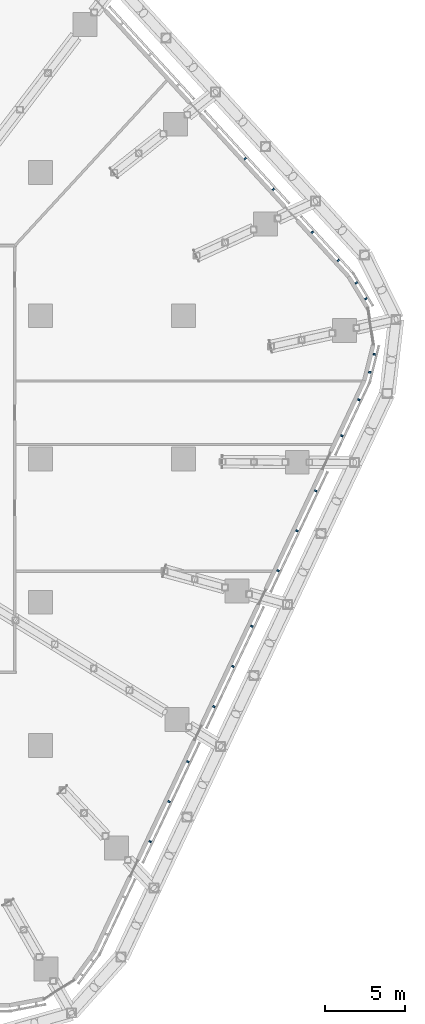
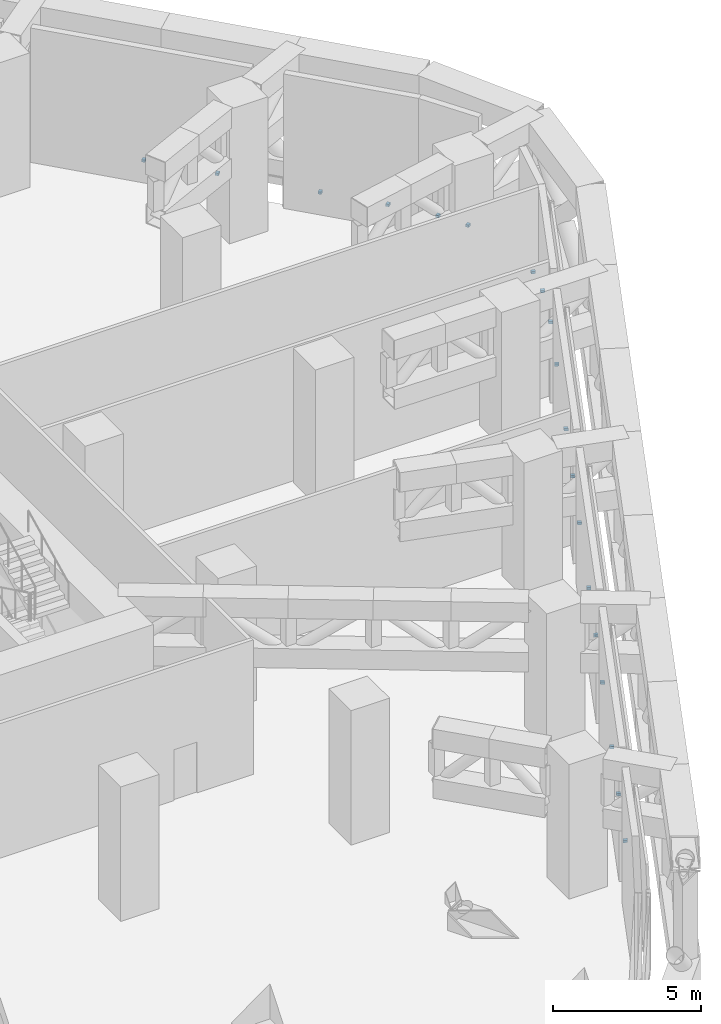
# One storey, part 28 of 38: 19 discrete accessories, 3 elements without a shape of their own.
"""IFC4 building model written with IfcOpenShell, lengths in metres."""

from ifc_helpers import new_model, si_unit, direction, frame, origin, origin_2d, place, context, subcontext, project, spatial, rectangle, extrude, material, layer, layer_set, type_object, element, aggregate, save


model = new_model("IFC4")

# Units and contexts
model_context = context("Model", 3, precision=1e-05, world=origin(), true_north=direction((0.0, 1.0)))
body_context = subcontext(model_context, "Body", "Model", "MODEL_VIEW")
ifc_project = project(units=[si_unit("LENGTHUNIT", "METRE"), si_unit("AREAUNIT", "SQUARE_METRE"), si_unit("VOLUMEUNIT", "CUBIC_METRE"), si_unit("PLANEANGLEUNIT", "RADIAN"), si_unit("MASSUNIT", "GRAM", prefix="KILO")], contexts=[model_context])

# Site, building, storey
site_placement = place(None, origin())
site = spatial("IfcSite", under=ifc_project, at=site_placement, CompositionType="ELEMENT")
building_placement = place(site_placement, origin())
building = spatial("IfcBuilding", under=site, at=building_placement, Name="Dongbaek Canopy Tower", CompositionType="ELEMENT")
storey_placement = place(building_placement, frame((0.0, 0.0, 89.199951171875)))
storey = spatial("IfcBuildingStorey", under=building, at=storey_placement, Name="L18", CompositionType="ELEMENT", Elevation=89.199951171875)

# Curtain wall, discrete accessories
ifc_material_1 = material(Name="Aluminium 6063-T6 pale anodised", Category="aluminium")
ifc_layer = layer(ifc_material_1, 0.14990234375)
ifc_layer_set = layer_set([ifc_layer], Name="CW-7 louvre curtain wall")
curtain_wall_type = type_object("IfcCurtainWallType", Name="CW-7 louvre curtain wall", PredefinedType="NOTDEFINED", material=ifc_layer_set)
curtain_wall_1_placement = place(storey_placement, origin())
curtain_wall_1 = element("IfcCurtainWall", 1, at=curtain_wall_1_placement, inside=storey, type_object=curtain_wall_type, Name="CW-7 louvre wall L18 K0", PredefinedType="NOTDEFINED")
ifc_material_2 = material(Name="Galvanised steel S355 bracket", Category="steel")
discrete_accessory_type = type_object("IfcDiscreteAccessoryType", Name="Louvre bracket BR1", PredefinedType="BRACKET", material=ifc_material_2)
discrete_accessory_1_placement = place(storey_placement, frame((38.6953125, 5.44775390625, 0.6650390625), z_axis=(0.0, 0.0, 1.0), x_axis=(0.241843568261, 0.970315252117, 0.0)))
discrete_accessory_1 = element("IfcDiscreteAccessory", 2, at=discrete_accessory_1_placement, type_object=discrete_accessory_type, Name="Louvre bracket L18 K0.1.1", PredefinedType="BRACKET", context=body_context, shape_type="SweptSolid", body=[
    extrude(rectangle(XDim=0.1201171875, YDim=0.14990234375, at=origin_2d()), origin(), (0.0, 0.0, 1.0), 0.10009765625),
])
discrete_accessory_2_placement = place(storey_placement, frame((38.9755859375, 6.572509765625, 0.6650390625), z_axis=(0.0, 0.0, 1.0), x_axis=(0.241843568261, 0.970315252117, 0.0)))
discrete_accessory_2 = element("IfcDiscreteAccessory", 3, at=discrete_accessory_2_placement, type_object=discrete_accessory_type, Name="Louvre bracket L18 K0.1.2", PredefinedType="BRACKET", context=body_context, shape_type="SweptSolid", body=[
    extrude(rectangle(XDim=0.1201171875, YDim=0.14990234375, at=origin_2d()), origin(), (0.0, 0.0, 1.0), 0.10009765625),
])
discrete_accessory_3_placement = place(storey_placement, frame((38.44921875, 10.065185546875, 0.6650390625), z_axis=(0.0, 0.0, 1.0), x_axis=(-0.51716533983, 0.85588551295, 0.0)))
discrete_accessory_3 = element("IfcDiscreteAccessory", 4, at=discrete_accessory_3_placement, type_object=discrete_accessory_type, Name="Louvre bracket L18 K0.2.1", PredefinedType="BRACKET", context=body_context, shape_type="SweptSolid", body=[
    extrude(rectangle(XDim=0.1201171875, YDim=0.14990234375, at=origin_2d()), origin(), (0.0, 0.0, 1.0), 0.10009765625),
])
discrete_accessory_4_placement = place(storey_placement, frame((37.849609375, 11.057373046875, 0.6650390625), z_axis=(0.0, 0.0, 1.0), x_axis=(-0.51716533983, 0.85588551295, 0.0)))
discrete_accessory_4 = element("IfcDiscreteAccessory", 5, at=discrete_accessory_4_placement, type_object=discrete_accessory_type, Name="Louvre bracket L18 K0.2.2", PredefinedType="BRACKET", context=body_context, shape_type="SweptSolid", body=[
    extrude(rectangle(XDim=0.1201171875, YDim=0.14990234375, at=origin_2d()), origin(), (0.0, 0.0, 1.0), 0.10009765625),
])
aggregate(curtain_wall_1, [discrete_accessory_1, discrete_accessory_2, discrete_accessory_3, discrete_accessory_4])

curtain_wall_2_placement = place(storey_placement, origin())
curtain_wall_2 = element("IfcCurtainWall", 6, at=curtain_wall_2_placement, inside=storey, type_object=curtain_wall_type, Name="CW-7 louvre wall L18 F0", PredefinedType="NOTDEFINED")
discrete_accessory_5_placement = place(storey_placement, frame((36.715087890625, 12.47265625, 0.6650390625), z_axis=(0.0, 0.0, 1.0), x_axis=(-0.674646668897, 0.738140821352, 0.0)))
discrete_accessory_5 = element("IfcDiscreteAccessory", 7, at=discrete_accessory_5_placement, type_object=discrete_accessory_type, Name="Louvre bracket L18 F0.1.1", PredefinedType="BRACKET", context=body_context, shape_type="SweptSolid", body=[
    extrude(rectangle(XDim=0.1201171875, YDim=0.14990234375, at=origin_2d()), origin(), (0.0, 0.0, 1.0), 0.10009765625),
])
discrete_accessory_6_placement = place(storey_placement, frame((35.09228515625, 14.248046875, 0.6650390625), z_axis=(0.0, 0.0, 1.0), x_axis=(-0.674646668897, 0.738140821352, 0.0)))
discrete_accessory_6 = element("IfcDiscreteAccessory", 8, at=discrete_accessory_6_placement, type_object=discrete_accessory_type, Name="Louvre bracket L18 F0.1.2", PredefinedType="BRACKET", context=body_context, shape_type="SweptSolid", body=[
    extrude(rectangle(XDim=0.1201171875, YDim=0.14990234375, at=origin_2d()), origin(), (0.0, 0.0, 1.0), 0.10009765625),
])
discrete_accessory_7_placement = place(storey_placement, frame((32.63330078125, 16.9384765625, 0.6650390625), z_axis=(0.0, 0.0, 1.0), x_axis=(-0.674646668897, 0.738140821352, 0.0)))
discrete_accessory_7 = element("IfcDiscreteAccessory", 9, at=discrete_accessory_7_placement, type_object=discrete_accessory_type, Name="Louvre bracket L18 F0.2.1", PredefinedType="BRACKET", context=body_context, shape_type="SweptSolid", body=[
    extrude(rectangle(XDim=0.1201171875, YDim=0.14990234375, at=origin_2d()), origin(), (0.0, 0.0, 1.0), 0.10009765625),
])
discrete_accessory_8_placement = place(storey_placement, frame((30.87109375, 18.866455078125, 0.6650390625), z_axis=(0.0, 0.0, 1.0), x_axis=(-0.674646668897, 0.738140821352, 0.0)))
discrete_accessory_8 = element("IfcDiscreteAccessory", 10, at=discrete_accessory_8_placement, type_object=discrete_accessory_type, Name="Louvre bracket L18 F0.2.2", PredefinedType="BRACKET", context=body_context, shape_type="SweptSolid", body=[
    extrude(rectangle(XDim=0.1201171875, YDim=0.14990234375, at=origin_2d()), origin(), (0.0, 0.0, 1.0), 0.10009765625),
])
aggregate(curtain_wall_2, [discrete_accessory_5, discrete_accessory_6, discrete_accessory_7, discrete_accessory_8])

curtain_wall_3_placement = place(storey_placement, origin())
curtain_wall_3 = element("IfcCurtainWall", 11, at=curtain_wall_3_placement, inside=storey, type_object=curtain_wall_type, Name="CW-7 louvre wall L18 F5", PredefinedType="NOTDEFINED")
discrete_accessory_9_placement = place(storey_placement, frame((24.9033203125, -24.03076171875, 0.6650390625), z_axis=(0.0, 0.0, 1.0), x_axis=(0.427038992534, 0.904233210436, 0.0)))
discrete_accessory_9 = element("IfcDiscreteAccessory", 12, at=discrete_accessory_9_placement, type_object=discrete_accessory_type, Name="Louvre bracket L18 F5.2.1", PredefinedType="BRACKET", context=body_context, shape_type="SweptSolid", body=[
    extrude(rectangle(XDim=0.1201171875, YDim=0.14990234375, at=origin_2d()), origin(), (0.0, 0.0, 1.0), 0.10009765625),
])
discrete_accessory_10_placement = place(storey_placement, frame((26.08642578125, -21.525634765625, 0.6650390625), z_axis=(0.0, 0.0, 1.0), x_axis=(0.427038992534, 0.904233210436, 0.0)))
discrete_accessory_10 = element("IfcDiscreteAccessory", 13, at=discrete_accessory_10_placement, type_object=discrete_accessory_type, Name="Louvre bracket L18 F5.2.2", PredefinedType="BRACKET", context=body_context, shape_type="SweptSolid", body=[
    extrude(rectangle(XDim=0.1201171875, YDim=0.14990234375, at=origin_2d()), origin(), (0.0, 0.0, 1.0), 0.10009765625),
])
discrete_accessory_11_placement = place(storey_placement, frame((27.269287109375, -19.020751953125, 0.6650390625), z_axis=(0.0, 0.0, 1.0), x_axis=(0.427038992534, 0.904233210436, 0.0)))
discrete_accessory_11 = element("IfcDiscreteAccessory", 14, at=discrete_accessory_11_placement, type_object=discrete_accessory_type, Name="Louvre bracket L18 F5.2.3", PredefinedType="BRACKET", context=body_context, shape_type="SweptSolid", body=[
    extrude(rectangle(XDim=0.1201171875, YDim=0.14990234375, at=origin_2d()), origin(), (0.0, 0.0, 1.0), 0.10009765625),
])
discrete_accessory_12_placement = place(storey_placement, frame((28.904296875, -15.558837890625, 0.6650390625), z_axis=(0.0, 0.0, 1.0), x_axis=(0.427038992534, 0.904233210436, 0.0)))
discrete_accessory_12 = element("IfcDiscreteAccessory", 15, at=discrete_accessory_12_placement, type_object=discrete_accessory_type, Name="Louvre bracket L18 F5.3.1", PredefinedType="BRACKET", context=body_context, shape_type="SweptSolid", body=[
    extrude(rectangle(XDim=0.1201171875, YDim=0.14990234375, at=origin_2d()), origin(), (0.0, 0.0, 1.0), 0.10009765625),
])
discrete_accessory_13_placement = place(storey_placement, frame((30.0966796875, -13.033935546875, 0.6650390625), z_axis=(0.0, 0.0, 1.0), x_axis=(0.427038992534, 0.904233210436, 0.0)))
discrete_accessory_13 = element("IfcDiscreteAccessory", 16, at=discrete_accessory_13_placement, type_object=discrete_accessory_type, Name="Louvre bracket L18 F5.3.2", PredefinedType="BRACKET", context=body_context, shape_type="SweptSolid", body=[
    extrude(rectangle(XDim=0.1201171875, YDim=0.14990234375, at=origin_2d()), origin(), (0.0, 0.0, 1.0), 0.10009765625),
])
discrete_accessory_14_placement = place(storey_placement, frame((31.2890625, -10.50927734375, 0.6650390625), z_axis=(0.0, 0.0, 1.0), x_axis=(0.427038992534, 0.904233210436, 0.0)))
discrete_accessory_14 = element("IfcDiscreteAccessory", 17, at=discrete_accessory_14_placement, type_object=discrete_accessory_type, Name="Louvre bracket L18 F5.3.3", PredefinedType="BRACKET", context=body_context, shape_type="SweptSolid", body=[
    extrude(rectangle(XDim=0.1201171875, YDim=0.14990234375, at=origin_2d()), origin(), (0.0, 0.0, 1.0), 0.10009765625),
])
discrete_accessory_15_placement = place(storey_placement, frame((32.936279296875, -7.021240234375, 0.6650390625), z_axis=(0.0, 0.0, 1.0), x_axis=(0.427038992534, 0.904233210436, 0.0)))
discrete_accessory_15 = element("IfcDiscreteAccessory", 18, at=discrete_accessory_15_placement, type_object=discrete_accessory_type, Name="Louvre bracket L18 F5.4.1", PredefinedType="BRACKET", context=body_context, shape_type="SweptSolid", body=[
    extrude(rectangle(XDim=0.1201171875, YDim=0.14990234375, at=origin_2d()), origin(), (0.0, 0.0, 1.0), 0.10009765625),
])
discrete_accessory_16_placement = place(storey_placement, frame((34.120361328125, -4.51416015625, 0.6650390625), z_axis=(0.0, 0.0, 1.0), x_axis=(0.427038992534, 0.904233210436, 0.0)))
discrete_accessory_16 = element("IfcDiscreteAccessory", 19, at=discrete_accessory_16_placement, type_object=discrete_accessory_type, Name="Louvre bracket L18 F5.4.2", PredefinedType="BRACKET", context=body_context, shape_type="SweptSolid", body=[
    extrude(rectangle(XDim=0.1201171875, YDim=0.14990234375, at=origin_2d()), origin(), (0.0, 0.0, 1.0), 0.10009765625),
])
discrete_accessory_17_placement = place(storey_placement, frame((35.30419921875, -2.007080078125, 0.6650390625), z_axis=(0.0, 0.0, 1.0), x_axis=(0.427038992534, 0.904233210436, 0.0)))
discrete_accessory_17 = element("IfcDiscreteAccessory", 20, at=discrete_accessory_17_placement, type_object=discrete_accessory_type, Name="Louvre bracket L18 F5.4.3", PredefinedType="BRACKET", context=body_context, shape_type="SweptSolid", body=[
    extrude(rectangle(XDim=0.1201171875, YDim=0.14990234375, at=origin_2d()), origin(), (0.0, 0.0, 1.0), 0.10009765625),
])
discrete_accessory_18_placement = place(storey_placement, frame((36.941162109375, 1.458984375, 0.6650390625), z_axis=(0.0, 0.0, 1.0), x_axis=(0.427038992534, 0.904233210436, 0.0)))
discrete_accessory_18 = element("IfcDiscreteAccessory", 21, at=discrete_accessory_18_placement, type_object=discrete_accessory_type, Name="Louvre bracket L18 F5.5.1", PredefinedType="BRACKET", context=body_context, shape_type="SweptSolid", body=[
    extrude(rectangle(XDim=0.1201171875, YDim=0.14990234375, at=origin_2d()), origin(), (0.0, 0.0, 1.0), 0.10009765625),
])
discrete_accessory_19_placement = place(storey_placement, frame((38.00830078125, 3.718505859375, 0.6650390625), z_axis=(0.0, 0.0, 1.0), x_axis=(0.427038992534, 0.904233210436, 0.0)))
discrete_accessory_19 = element("IfcDiscreteAccessory", 22, at=discrete_accessory_19_placement, type_object=discrete_accessory_type, Name="Louvre bracket L18 F5.5.2", PredefinedType="BRACKET", context=body_context, shape_type="SweptSolid", body=[
    extrude(rectangle(XDim=0.1201171875, YDim=0.14990234375, at=origin_2d()), origin(), (0.0, 0.0, 1.0), 0.10009765625),
])
aggregate(curtain_wall_3, [discrete_accessory_9, discrete_accessory_10, discrete_accessory_11, discrete_accessory_12, discrete_accessory_13, discrete_accessory_14, discrete_accessory_15, discrete_accessory_16, discrete_accessory_17, discrete_accessory_18, discrete_accessory_19])

save(model, "model.ifc")
